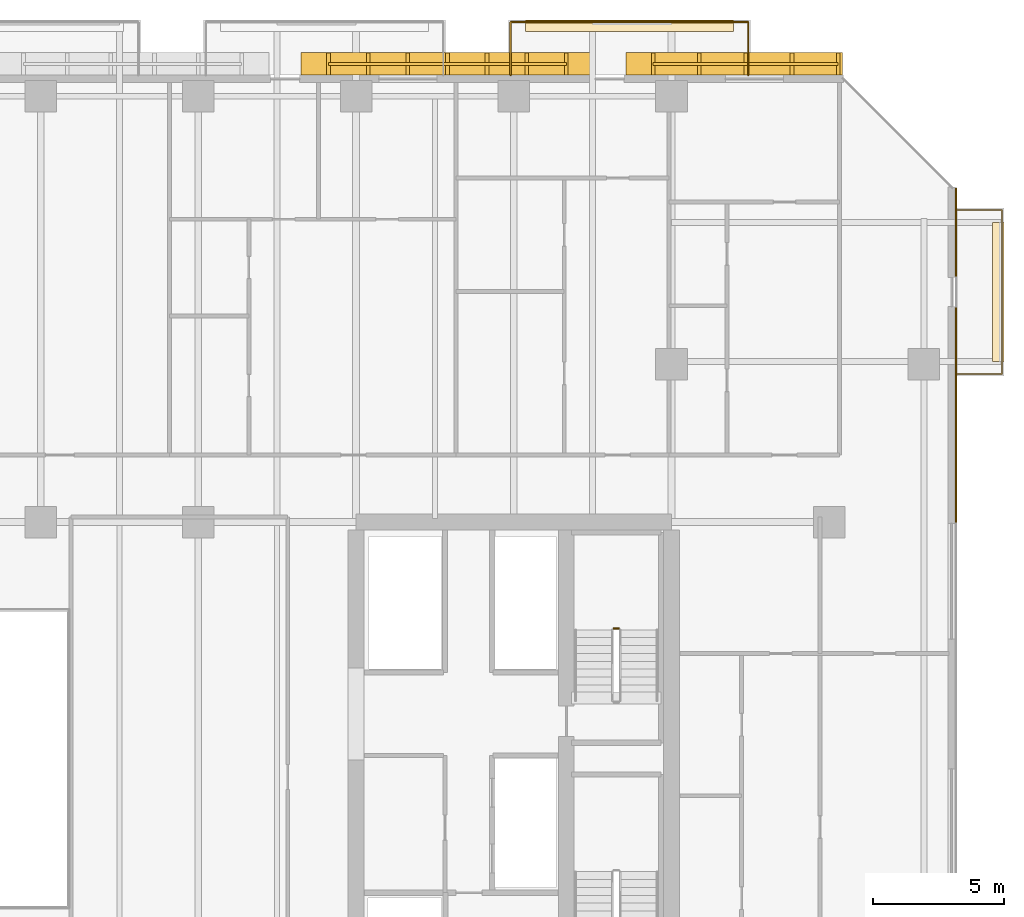
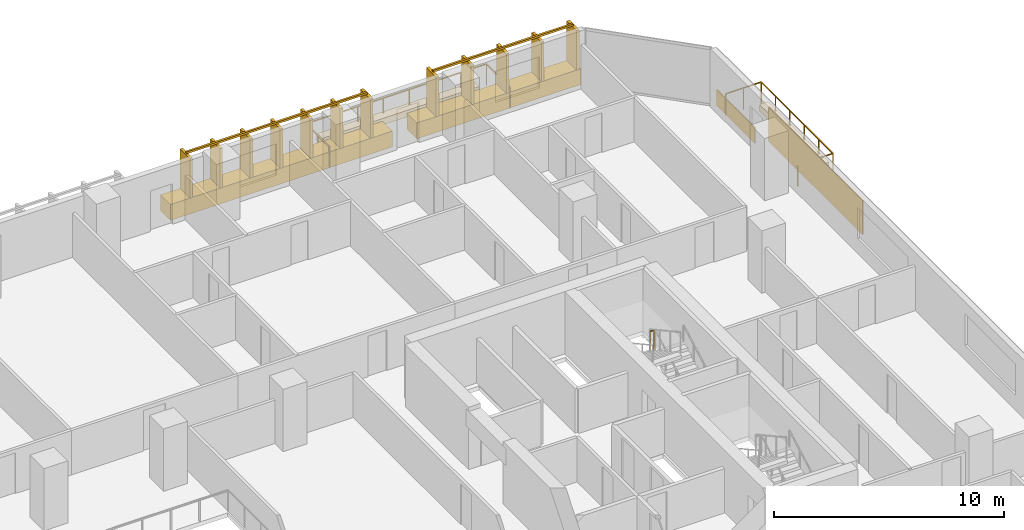
# One storey, part 33 of 33: 6 coverings, 5 railings.
"""IFC4 building model written with IfcOpenShell, lengths in metres."""

from ifc_helpers import new_model, si_unit, direction, frame, origin, origin_2d, place, context, subcontext, project, spatial, polyline, rectangle, outline, extrude, material, layer, layer_set, type_object, element, save


model = new_model("IFC4")

# Units and contexts
model_context = context("Model", 3, precision=1e-05, world=origin(), true_north=direction((0.0, 1.0)))
body_context = subcontext(model_context, "Body", "Model", "MODEL_VIEW")
ifc_project = project(units=[si_unit("LENGTHUNIT", "METRE"), si_unit("AREAUNIT", "SQUARE_METRE"), si_unit("VOLUMEUNIT", "CUBIC_METRE"), si_unit("PLANEANGLEUNIT", "RADIAN"), si_unit("MASSUNIT", "GRAM", prefix="KILO")], contexts=[model_context])

# Site, building, storey
site_placement = place(None, origin())
site = spatial("IfcSite", under=ifc_project, at=site_placement, CompositionType="ELEMENT")
building_placement = place(site_placement, origin())
building = spatial("IfcBuilding", under=site, at=building_placement, Name="Tanjung Sevakor Pilgrim Tower", CompositionType="ELEMENT")
storey_placement = place(building_placement, frame((0.0, 0.0, 52.139892578125)))
storey = spatial("IfcBuildingStorey", under=building, at=storey_placement, Name="L14", CompositionType="ELEMENT", Elevation=52.139892578125)

# Coverings
ifc_material_1 = material(Name="Reconstructed Limestone Cladding", Category="masonry")
ifc_layer_1 = layer(ifc_material_1, 0.044921875)
ifc_layer_set_1 = layer_set([ifc_layer_1], Name="COV-CLAD-LIMESTONE")
covering_type_1 = type_object("IfcCoveringType", Name="COV-CLAD-LIMESTONE", PredefinedType="CLADDING", material=ifc_layer_set_1)
covering_1_placement = place(storey_placement, frame((100.822509765625, 53.631103515625, 0.01025390625), z_axis=(0.0, 0.0, 1.0), x_axis=(0.0, 1.0, 0.0)))
element("IfcCovering", 1, at=covering_1_placement, inside=storey, type_object=covering_type_1, Name="L14 Warm Limestone Sill Spandrel EW-L14-MAIN-7-2", PredefinedType="CLADDING", context=body_context, shape_type="SweptSolid", body=[
    extrude(rectangle(XDim=3.342041015625, YDim=0.044921875, at=origin_2d()), origin(), (0.0, 0.0, 1.0), 0.840087890625),
])
covering_2_placement = place(storey_placement, frame((100.822509765625, 46.675048828125, 0.85009765625), z_axis=(0.0, 0.0, 1.0), x_axis=(0.0, 1.0, 0.0)))
element("IfcCovering", 2, at=covering_2_placement, inside=storey, type_object=covering_type_1, Name="L14 Warm Limestone Pier Panel EW-L14-MAIN-7-3", PredefinedType="CLADDING", context=body_context, shape_type="SweptSolid", body=[
    extrude(rectangle(XDim=8.14990234375, YDim=0.044921875, at=origin_2d()), origin(), (0.0, 0.0, 1.0), 1.81005859375),
])
covering_3_placement = place(storey_placement, frame((92.381103515625, 60.030029296875, 0.01025390625), z_axis=(0.0, 0.0, 1.0), x_axis=(-1.0, 0.0, 0.0)))
element("IfcCovering", 3, at=covering_3_placement, inside=storey, type_object=covering_type_1, Name="L14 Warm Limestone Sill Spandrel EW-L14-MAIN-9-1", PredefinedType="CLADDING", context=body_context, shape_type="SweptSolid", body=[
    extrude(rectangle(XDim=8.241943359375, YDim=0.860107421875, at=origin_2d()), origin(), (0.0, 0.0, 1.0), 0.840087890625),
])
covering_4_placement = place(storey_placement, frame((81.47509765625, 60.030029296875, 0.01025390625), z_axis=(0.0, 0.0, 1.0), x_axis=(-1.0, 0.0, 0.0)))
element("IfcCovering", 4, at=covering_4_placement, inside=storey, type_object=covering_type_1, Name="L14 Warm Limestone Sill Spandrel EW-L14-MAIN-9-2", PredefinedType="CLADDING", context=body_context, shape_type="SweptSolid", body=[
    extrude(rectangle(XDim=11.1298828125, YDim=0.860107421875, at=origin_2d()), origin(), (0.0, 0.0, 1.0), 0.840087890625),
])
ifc_material_2 = material(Name="Vegetated Modular Planter Assembly", Category="organic")
ifc_layer_2 = layer(ifc_material_2, 0.35009765625)
ifc_layer_set_2 = layer_set([ifc_layer_2], Name="COV-GRN-TROUGH")
covering_type_2 = type_object("IfcCoveringType", Name="COV-GRN-TROUGH", PredefinedType="CLADDING", material=ifc_layer_set_2)
covering_5_placement = place(storey_placement, origin())
element("IfcCovering", 5, at=covering_5_placement, inside=storey, type_object=covering_type_2, Name="L14 Planted Landscape Hedge Trough BGRN-L14-MAIN-N4", PredefinedType="CLADDING", context=body_context, shape_type="SweptSolid", body=[
    extrude(outline(polyline([(84.449951171875, 61.260009765625), (92.35009765625, 61.260009765625), (92.35009765625, 61.699951171875), (84.449951171875, 61.699951171875), (84.449951171875, 61.260009765625)])), origin(), (0.0, 0.0, 1.0), 0.35009765625),
])
covering_6_placement = place(storey_placement, origin())
element("IfcCovering", 6, at=covering_6_placement, inside=storey, type_object=covering_type_2, Name="L14 Planted Landscape Hedge Trough BGRN-L14-MAIN-E1", PredefinedType="CLADDING", context=body_context, shape_type="SweptSolid", body=[
    extrude(outline(polyline([(102.64990234375, 48.699951171875), (102.64990234375, 54.0), (102.2099609375, 54.0), (102.2099609375, 48.699951171875), (102.64990234375, 48.699951171875)])), origin(), (0.0, 0.0, 1.0), 0.35009765625),
])

# Railings
ifc_material_3 = material(Name="Laminated Glass and Aluminium", Category="aluminium")
railing_type_1 = type_object("IfcRailingType", Name="RL-BAL-BALUST", PredefinedType="BALUSTRADE", material=ifc_material_3)
railing_1_placement = place(storey_placement, frame((83.8798828125, 59.60009765625, 0.0)))
element("IfcRailing", 7, at=railing_1_placement, inside=storey, type_object=railing_type_1, Name="L14 Loggia Balustrade MAIN-N4", PredefinedType="BALUSTRADE", context=body_context, shape_type="SweptSolid", body=[
    extrude(rectangle(XDim=0.0479, YDim=0.0479), frame((0.0, 0.0, 1.1259765625), z_axis=(0.0, 1.0, 0.0), x_axis=(-1.0, 0.0, 0.0)), (0.0, 0.0, 1.0), 2.02001953125),
    extrude(rectangle(XDim=0.0479, YDim=0.0479), frame((0.0, 2.02001953125, 1.1259765625), z_axis=(1.0, 0.0, 0.0), x_axis=(0.0, 1.0, 0.0)), (0.0, 0.0, 1.0), 9.0400390625),
    extrude(rectangle(XDim=0.0479, YDim=0.0479), frame((9.0400390625, 2.02001953125, 1.1259765625), z_axis=(0.0, -1.0, 0.0), x_axis=(1.0, 0.0, 0.0)), (0.0, 0.0, 1.0), 2.02001953125),
    extrude(rectangle(XDim=0.042, YDim=0.042), origin(), (0.0, 0.0, 1.0), 1.101806640625),
    extrude(rectangle(XDim=0.042, YDim=0.042), frame((0.0, 1.010009765625, 0.0)), (0.0, 0.0, 1.0), 1.101806640625),
    extrude(rectangle(XDim=0.042, YDim=0.042), frame((0.0, 2.02001953125, 0.0)), (0.0, 0.0, 1.0), 1.101806640625),
    extrude(rectangle(XDim=0.042, YDim=0.042), frame((1.29150390625, 2.02001953125, 0.0)), (0.0, 0.0, 1.0), 1.101806640625),
    extrude(rectangle(XDim=0.042, YDim=0.042), frame((2.582763671875, 2.02001953125, 0.0)), (0.0, 0.0, 1.0), 1.101806640625),
    extrude(rectangle(XDim=0.042, YDim=0.042), frame((3.874267578125, 2.02001953125, 0.0)), (0.0, 0.0, 1.0), 1.101806640625),
    extrude(rectangle(XDim=0.042, YDim=0.042), frame((5.165771484375, 2.02001953125, 0.0)), (0.0, 0.0, 1.0), 1.101806640625),
    extrude(rectangle(XDim=0.042, YDim=0.042), frame((6.457275390625, 2.02001953125, 0.0)), (0.0, 0.0, 1.0), 1.101806640625),
    extrude(rectangle(XDim=0.042, YDim=0.042), frame((7.74853515625, 2.02001953125, 0.0)), (0.0, 0.0, 1.0), 1.101806640625),
    extrude(rectangle(XDim=0.042, YDim=0.042), frame((9.0400390625, 2.02001953125, 0.0)), (0.0, 0.0, 1.0), 1.101806640625),
    extrude(rectangle(XDim=0.042, YDim=0.042), frame((9.0400390625, 1.010009765625, 0.0)), (0.0, 0.0, 1.0), 1.101806640625),
    extrude(rectangle(XDim=0.042, YDim=0.042), frame((9.0400390625, 0.0, 0.0)), (0.0, 0.0, 1.0), 1.101806640625),
])
railing_2_placement = place(storey_placement, frame((100.800048828125, 48.22998046875, 0.0)))
element("IfcRailing", 8, at=railing_2_placement, inside=storey, type_object=railing_type_1, Name="L14 Loggia Balustrade MAIN-E1", PredefinedType="BALUSTRADE", context=body_context, shape_type="SweptSolid", body=[
    extrude(rectangle(XDim=0.0479, YDim=0.0479), frame((0.0, 0.0, 1.1259765625), z_axis=(1.0, 0.0, 0.0), x_axis=(0.0, 1.0, 0.0)), (0.0, 0.0, 1.0), 1.77001953125),
    extrude(rectangle(XDim=0.0479, YDim=0.0479), frame((1.77001953125, 0.0, 1.1259765625), z_axis=(0.0, 1.0, 0.0), x_axis=(-1.0, 0.0, 0.0)), (0.0, 0.0, 1.0), 6.239990234375),
    extrude(rectangle(XDim=0.0479, YDim=0.0479), frame((1.77001953125, 6.239990234375, 1.1259765625), z_axis=(-1.0, 0.0, 0.0), x_axis=(0.0, -1.0, 0.0)), (0.0, 0.0, 1.0), 1.77001953125),
    extrude(rectangle(XDim=0.042, YDim=0.042), origin(), (0.0, 0.0, 1.0), 1.101806640625),
    extrude(rectangle(XDim=0.042, YDim=0.042), frame((0.885009765625, 0.0, 0.0)), (0.0, 0.0, 1.0), 1.101806640625),
    extrude(rectangle(XDim=0.042, YDim=0.042), frame((1.77001953125, 0.0, 0.0)), (0.0, 0.0, 1.0), 1.101806640625),
    extrude(rectangle(XDim=0.042, YDim=0.042), frame((1.77001953125, 1.248046875, 0.0)), (0.0, 0.0, 1.0), 1.101806640625),
    extrude(rectangle(XDim=0.042, YDim=0.042), frame((1.77001953125, 2.49609375, 0.0)), (0.0, 0.0, 1.0), 1.101806640625),
    extrude(rectangle(XDim=0.042, YDim=0.042), frame((1.77001953125, 3.743896484375, 0.0)), (0.0, 0.0, 1.0), 1.101806640625),
    extrude(rectangle(XDim=0.042, YDim=0.042), frame((1.77001953125, 4.991943359375, 0.0)), (0.0, 0.0, 1.0), 1.101806640625),
    extrude(rectangle(XDim=0.042, YDim=0.042), frame((1.77001953125, 6.239990234375, 0.0)), (0.0, 0.0, 1.0), 1.101806640625),
    extrude(rectangle(XDim=0.042, YDim=0.042), frame((0.885009765625, 6.239990234375, 0.0)), (0.0, 0.0, 1.0), 1.101806640625),
    extrude(rectangle(XDim=0.042, YDim=0.042), frame((0.0, 6.239990234375, 0.0)), (0.0, 0.0, 1.0), 1.101806640625),
])
ifc_material_4 = material(Name="Anodised Bronze Aluminium 6063-T6", Category="aluminium")
railing_type_2 = type_object("IfcRailingType", Name="RL-FIN-SCREEN", PredefinedType="BALUSTRADE", material=ifc_material_4)
railing_3_placement = place(storey_placement, frame((96.342041015625, 60.02490234375, 0.840087890625)))
element("IfcRailing", 9, at=railing_3_placement, inside=storey, type_object=railing_type_2, Name="L14 Vertical Bronze-Gold Solar Fin Screen FNSCR-EW-L14-MAIN-9-1", PredefinedType="BALUSTRADE", context=body_context, shape_type="SweptSolid", body=[
    extrude(rectangle(XDim=0.105, YDim=0.105), frame((0.0, 0.0, 2.157470703125), z_axis=(-1.0, 0.0, 0.0), x_axis=(0.0, -1.0, 0.0)), (0.0, 0.0, 1.0), 7.0419921875),
    extrude(rectangle(XDim=0.14, YDim=0.85), origin(), (0.0, 0.0, 1.0), 2.10498046875),
    extrude(rectangle(XDim=0.14, YDim=0.85), frame((-1.760498046875, 0.0, 0.0)), (0.0, 0.0, 1.0), 2.10498046875),
    extrude(rectangle(XDim=0.14, YDim=0.85), frame((-3.52099609375, 0.0, 0.0)), (0.0, 0.0, 1.0), 2.10498046875),
    extrude(rectangle(XDim=0.14, YDim=0.85), frame((-5.281494140625, 0.0, 0.0)), (0.0, 0.0, 1.0), 2.10498046875),
    extrude(rectangle(XDim=0.14, YDim=0.85), frame((-7.0419921875, 0.0, 0.0)), (0.0, 0.0, 1.0), 2.10498046875),
])
railing_4_placement = place(storey_placement, frame((86.0, 60.02490234375, 0.840087890625)))
element("IfcRailing", 10, at=railing_4_placement, inside=storey, type_object=railing_type_2, Name="L14 Vertical Bronze-Gold Solar Fin Screen FNSCR-EW-L14-MAIN-9-2", PredefinedType="BALUSTRADE", context=body_context, shape_type="SweptSolid", body=[
    extrude(rectangle(XDim=0.105, YDim=0.105), frame((0.0, 0.0, 2.157470703125), z_axis=(-1.0, 0.0, 0.0), x_axis=(0.0, -1.0, 0.0)), (0.0, 0.0, 1.0), 9.050048828125),
    extrude(rectangle(XDim=0.14, YDim=0.85), origin(), (0.0, 0.0, 1.0), 2.10498046875),
    extrude(rectangle(XDim=0.14, YDim=0.85), frame((-1.50830078125, 0.0, 0.0)), (0.0, 0.0, 1.0), 2.10498046875),
    extrude(rectangle(XDim=0.14, YDim=0.85), frame((-3.0166015625, 0.0, 0.0)), (0.0, 0.0, 1.0), 2.10498046875),
    extrude(rectangle(XDim=0.14, YDim=0.85), frame((-4.52490234375, 0.0, 0.0)), (0.0, 0.0, 1.0), 2.10498046875),
    extrude(rectangle(XDim=0.14, YDim=0.85), frame((-6.033447265625, 0.0, 0.0)), (0.0, 0.0, 1.0), 2.10498046875),
    extrude(rectangle(XDim=0.14, YDim=0.85), frame((-7.541748046875, 0.0, 0.0)), (0.0, 0.0, 1.0), 2.10498046875),
    extrude(rectangle(XDim=0.14, YDim=0.85), frame((-9.050048828125, 0.0, 0.0)), (0.0, 0.0, 1.0), 2.10498046875),
])
ifc_material_5 = material(Name="Steel S355J2", Category="steel")
railing_type_3 = type_object("IfcRailingType", Name="RL-STAIR-GUARD", PredefinedType="GUARDRAIL", material=ifc_material_5)
railing_5_placement = place(storey_placement, frame((88.0, 38.550048828125, 1.650146484375)))
element("IfcRailing", 11, at=railing_5_placement, inside=storey, type_object=railing_type_3, Name="L14 TS-E2 stair guard 2", PredefinedType="GUARDRAIL", context=body_context, shape_type="SweptSolid", body=[
    extrude(rectangle(XDim=0.0479, YDim=0.0479), frame((0.0, 0.0, 1.076171875), z_axis=(-1.0, 0.0, 0.0), x_axis=(0.0, -1.0, 0.0)), (0.0, 0.0, 1.0), 0.199951171875),
    extrude(rectangle(XDim=0.042, YDim=0.042), origin(), (0.0, 0.0, 1.0), 1.052001953125),
    extrude(rectangle(XDim=0.042, YDim=0.042), frame((-0.199951171875, 0.0, 0.0)), (0.0, 0.0, 1.0), 1.052001953125),
])

save(model, "model.ifc")
